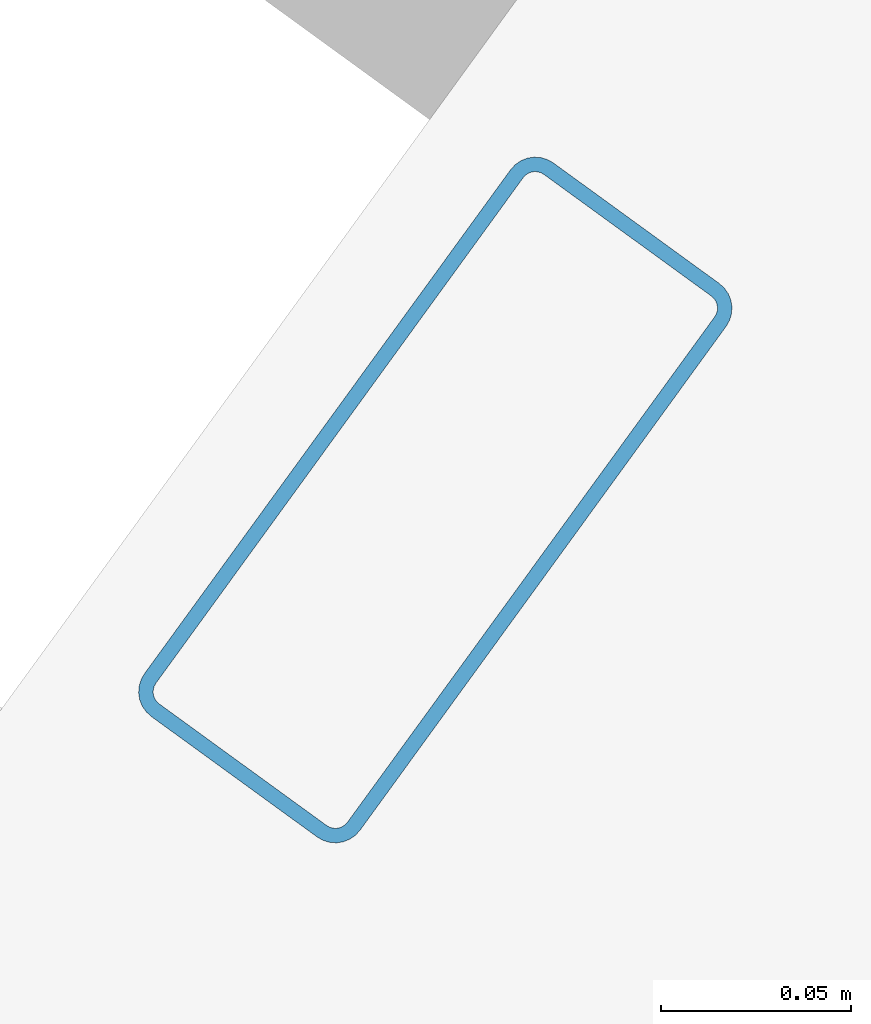
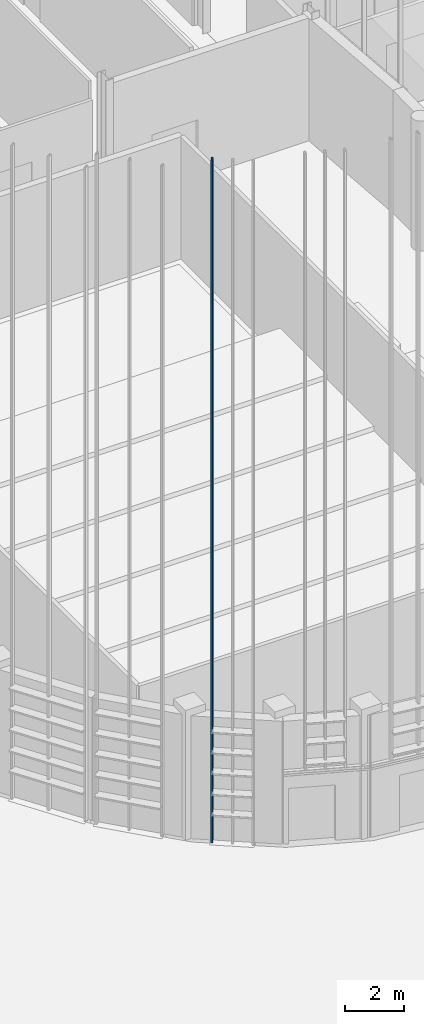
# One storey, part 48 of 372: 1 member.
"""IFC4 building model written with IfcOpenShell, lengths in metres."""

from ifc_helpers import new_model, si_unit, direction, frame, origin, origin_2d, place, context, subcontext, project, spatial, hollow_rectangle, extrude, material, material_profile, profile_set, type_object, element, save


model = new_model("IFC4")

# Units and contexts
model_context = context("Model", 3, precision=1e-05, world=origin(), true_north=direction((0.0, 1.0)))
body_context = subcontext(model_context, "Body", "Model", "MODEL_VIEW")
ifc_project = project(units=[si_unit("LENGTHUNIT", "METRE"), si_unit("AREAUNIT", "SQUARE_METRE"), si_unit("VOLUMEUNIT", "CUBIC_METRE"), si_unit("PLANEANGLEUNIT", "RADIAN"), si_unit("MASSUNIT", "GRAM", prefix="KILO")], contexts=[model_context])

# Site, building, storey
site_placement = place(None, origin())
site = spatial("IfcSite", under=ifc_project, at=site_placement, CompositionType="ELEMENT")
building_placement = place(site_placement, origin())
building = spatial("IfcBuilding", under=site, at=building_placement, Name="Kaelora Sail Theatre", CompositionType="ELEMENT")
storey_placement = place(building_placement, origin())
storey = spatial("IfcBuildingStorey", under=building, at=storey_placement, Name="L00", CompositionType="ELEMENT", Elevation=0.0)

# Member
ifc_material = material(Name="Anodised aluminium 6063-T6", Category="aluminium")
ifc_material_profile = material_profile(ifc_material, hollow_rectangle(XDim=0.070068359375, YDim=0.179931640625, WallThickness=0.00390625, InnerFilletRadius=0.00390625, OuterFilletRadius=0.008056640625, at=origin_2d()), Name="ALU-MULL 70x180x4")
ifc_profile_set = profile_set([ifc_material_profile], Name="Anodised aluminium 6063-T6")
member_type = type_object("IfcMemberType", Name="ARC-MEM-PST-160", PredefinedType="POST", material=ifc_profile_set)
member_placement = place(storey_placement, frame((34.363037109375, 26.50634765625, 0.0), z_axis=(0.0, 0.0, 1.0), x_axis=(-0.809016994375, 0.587785252292, 0.0)))
element("IfcMember", 1, at=member_placement, inside=storey, type_object=member_type, Name="Main Theatre Sail Drum solar louvre vertical support post C14-3", PredefinedType="POST", context=body_context, shape_type="SweptSolid", body=[
    extrude(hollow_rectangle(XDim=0.070068359375, YDim=0.179931640625, WallThickness=0.00390625, InnerFilletRadius=0.00390625, OuterFilletRadius=0.008056640625, at=origin_2d()), origin(), (0.0, 0.0, 1.0), 28.375),
])

save(model, "model.ifc")
